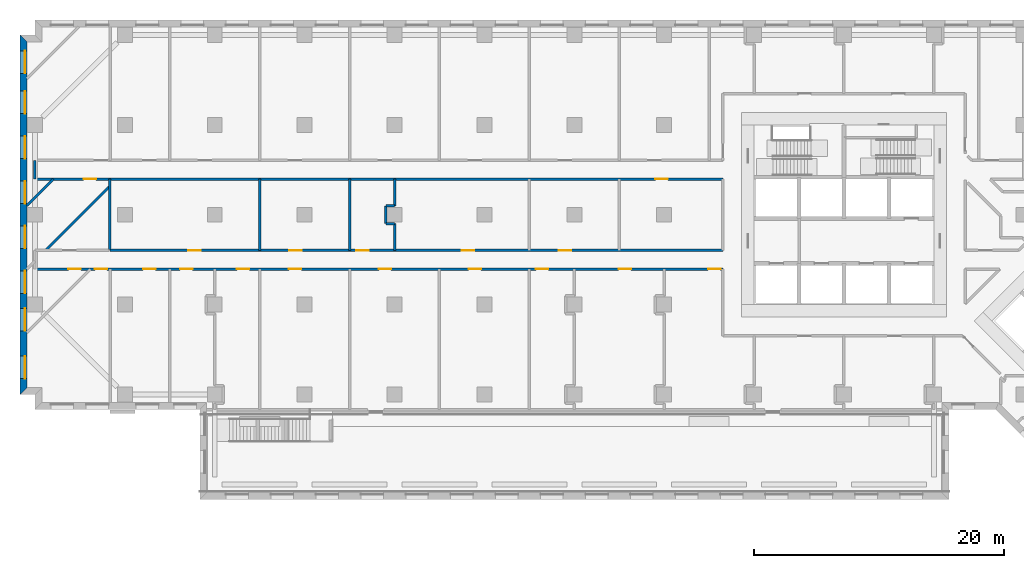
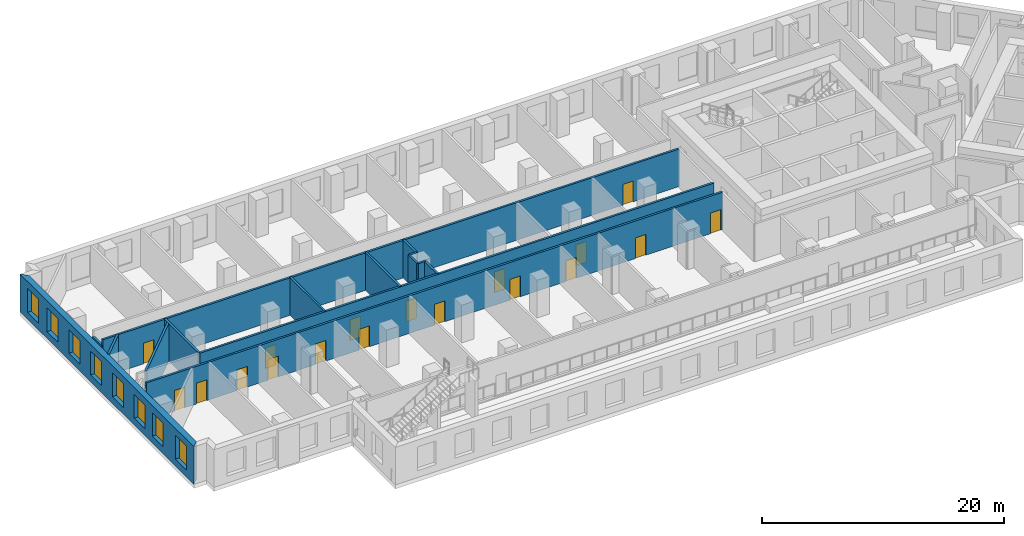
# One storey, part 4 of 14: 18 doors, 15 walls, 8 windows, 26 openings.
"""IFC4 building model written with IfcOpenShell, lengths in metres."""

from ifc_helpers import new_model, si_unit, direction, frame, frame_2d, origin, place, context, subcontext, project, spatial, polyline, rectangle, outline, extrude, material, layer, layer_set, type_object, element, fill, save


model = new_model("IFC4")

# Units and contexts
model_context = context("Model", 3, precision=1e-05, world=origin(), true_north=direction((0.0, 1.0)))
body_context = subcontext(model_context, "Body", "Model", "MODEL_VIEW")
ifc_project = project(units=[si_unit("LENGTHUNIT", "METRE"), si_unit("AREAUNIT", "SQUARE_METRE"), si_unit("VOLUMEUNIT", "CUBIC_METRE"), si_unit("PLANEANGLEUNIT", "RADIAN"), si_unit("MASSUNIT", "GRAM", prefix="KILO")], contexts=[model_context])

# Site, building, storey
site_placement = place(None, origin())
site = spatial("IfcSite", under=ifc_project, at=site_placement, CompositionType="ELEMENT")
building_placement = place(site_placement, origin())
building = spatial("IfcBuilding", under=site, at=building_placement, Name="Windrow Commons", CompositionType="ELEMENT")
storey_placement = place(building_placement, frame((0.0, 0.0, 18.6)))
storey = spatial("IfcBuildingStorey", under=building, at=storey_placement, Name="L04", CompositionType="ELEMENT", Elevation=18.6)

# Wall, openings, windows
ifc_material_1 = material(Name="Brick masonry, red clay brick", Category="masonry")
ifc_layer_1 = layer(ifc_material_1, 0.55)
ifc_layer_set_1 = layer_set([ifc_layer_1], Name="Brick facade wall 550")
wall_type_1 = type_object("IfcWallType", Name="Brick facade wall 550", PredefinedType="SOLIDWALL", material=ifc_layer_set_1)
wall_1_placement = place(storey_placement, frame((-0.925, 71.725, 0.0), z_axis=(0.0, 0.0, 1.0), x_axis=(0.0, -1.0, 0.0)))
wall_1 = element("IfcWall", 1, at=wall_1_placement, inside=storey, type_object=wall_type_1, Name="Brick facade wall L04 8", PredefinedType="SOLIDWALL", context=body_context, shape_type="SweptSolid", body=[
    extrude(outline(polyline([(-0.275, -0.275), (28.525, -0.275), (27.975, 0.275), (0.275, 0.275), (-0.275, -0.275)])), origin(), (0.0, 0.0, 1.0), 3.8),
])
opening_1_placement = place(wall_1_placement, frame((1.0, 0.0, 0.7)))
opening_1 = element("IfcOpeningElement", 2, at=opening_1_placement, cuts=wall_1, Name="Opening W2B", PredefinedType="OPENING", context=body_context, shape_type="SweptSolid", body=[
    extrude(rectangle(XDim=1.8, YDim=2.4, at=frame_2d((0.9, 1.2))), frame((0.0, 0.285, 0.0), z_axis=(0.0, -1.0, 0.0), x_axis=(1.0, 0.0, 0.0)), (0.0, 0.0, 1.0), 0.57),
])
opening_2_placement = place(wall_1_placement, frame((4.225, 0.0, 0.7)))
opening_2 = element("IfcOpeningElement", 3, at=opening_2_placement, cuts=wall_1, Name="Opening W2B", PredefinedType="OPENING", context=body_context, shape_type="SweptSolid", body=[
    extrude(rectangle(XDim=1.8, YDim=2.4, at=frame_2d((0.9, 1.2))), frame((0.0, 0.285, 0.0), z_axis=(0.0, -1.0, 0.0), x_axis=(1.0, 0.0, 0.0)), (0.0, 0.0, 1.0), 0.57),
])
opening_3_placement = place(wall_1_placement, frame((7.825, 0.0, 0.7)))
opening_3 = element("IfcOpeningElement", 4, at=opening_3_placement, cuts=wall_1, Name="Opening W2B", PredefinedType="OPENING", context=body_context, shape_type="SweptSolid", body=[
    extrude(rectangle(XDim=1.8, YDim=2.4, at=frame_2d((0.9, 1.2))), frame((0.0, 0.285, 0.0), z_axis=(0.0, -1.0, 0.0), x_axis=(1.0, 0.0, 0.0)), (0.0, 0.0, 1.0), 0.57),
])
opening_4_placement = place(wall_1_placement, frame((11.425, 0.0, 0.7)))
opening_4 = element("IfcOpeningElement", 5, at=opening_4_placement, cuts=wall_1, Name="Opening W2B", PredefinedType="OPENING", context=body_context, shape_type="SweptSolid", body=[
    extrude(rectangle(XDim=1.8, YDim=2.4, at=frame_2d((0.9, 1.2))), frame((0.0, 0.285, 0.0), z_axis=(0.0, -1.0, 0.0), x_axis=(1.0, 0.0, 0.0)), (0.0, 0.0, 1.0), 0.57),
])
opening_5_placement = place(wall_1_placement, frame((15.025, 0.0, 0.7)))
opening_5 = element("IfcOpeningElement", 6, at=opening_5_placement, cuts=wall_1, Name="Opening W2B", PredefinedType="OPENING", context=body_context, shape_type="SweptSolid", body=[
    extrude(rectangle(XDim=1.8, YDim=2.4, at=frame_2d((0.9, 1.2))), frame((0.0, 0.285, 0.0), z_axis=(0.0, -1.0, 0.0), x_axis=(1.0, 0.0, 0.0)), (0.0, 0.0, 1.0), 0.57),
])
opening_6_placement = place(wall_1_placement, frame((18.625, 0.0, 0.7)))
opening_6 = element("IfcOpeningElement", 7, at=opening_6_placement, cuts=wall_1, Name="Opening W2B", PredefinedType="OPENING", context=body_context, shape_type="SweptSolid", body=[
    extrude(rectangle(XDim=1.8, YDim=2.4, at=frame_2d((0.9, 1.2))), frame((0.0, 0.285, 0.0), z_axis=(0.0, -1.0, 0.0), x_axis=(1.0, 0.0, 0.0)), (0.0, 0.0, 1.0), 0.57),
])
opening_7_placement = place(wall_1_placement, frame((21.625, 0.0, 0.7)))
opening_7 = element("IfcOpeningElement", 8, at=opening_7_placement, cuts=wall_1, Name="Opening W2B", PredefinedType="OPENING", context=body_context, shape_type="SweptSolid", body=[
    extrude(rectangle(XDim=1.8, YDim=2.4, at=frame_2d((0.9, 1.2))), frame((0.0, 0.285, 0.0), z_axis=(0.0, -1.0, 0.0), x_axis=(1.0, 0.0, 0.0)), (0.0, 0.0, 1.0), 0.57),
])
opening_8_placement = place(wall_1_placement, frame((25.45, 0.0, 0.7)))
opening_8 = element("IfcOpeningElement", 9, at=opening_8_placement, cuts=wall_1, Name="Opening W2B", PredefinedType="OPENING", context=body_context, shape_type="SweptSolid", body=[
    extrude(rectangle(XDim=1.8, YDim=2.4, at=frame_2d((0.9, 1.2))), frame((0.0, 0.285, 0.0), z_axis=(0.0, -1.0, 0.0), x_axis=(1.0, 0.0, 0.0)), (0.0, 0.0, 1.0), 0.57),
])
ifc_material_2 = material(Name="Clear float glass in anodised aluminium frame", Category="aluminium")
window_type = type_object("IfcWindowType", Name="Window W2 podium 1800x2400", PartitioningType="SINGLE_PANEL", PredefinedType="WINDOW", material=ifc_material_2)
window_1_placement = place(opening_1_placement, origin())
window_1 = element("IfcWindow", 10, at=window_1_placement, inside=storey, type_object=window_type, Name="Window L04 8.1", OverallHeight=2.4, OverallWidth=1.8, PartitioningType="SINGLE_PANEL", PredefinedType="WINDOW", context=body_context, shape_type="SweptSolid", body=[
    extrude(rectangle(XDim=1.8, YDim=2.4, at=frame_2d((0.9, 1.2))), frame((0.0, 0.155, 0.0), z_axis=(0.0, -1.0, 0.0), x_axis=(1.0, 0.0, 0.0)), (0.0, 0.0, 1.0), 0.06),
])
fill(opening_1, window_1)
window_2_placement = place(opening_2_placement, origin())
window_2 = element("IfcWindow", 11, at=window_2_placement, inside=storey, type_object=window_type, Name="Window L04 8.2", OverallHeight=2.4, OverallWidth=1.8, PartitioningType="SINGLE_PANEL", PredefinedType="WINDOW", context=body_context, shape_type="SweptSolid", body=[
    extrude(rectangle(XDim=1.8, YDim=2.4, at=frame_2d((0.9, 1.2))), frame((0.0, 0.155, 0.0), z_axis=(0.0, -1.0, 0.0), x_axis=(1.0, 0.0, 0.0)), (0.0, 0.0, 1.0), 0.06),
])
fill(opening_2, window_2)
window_3_placement = place(opening_3_placement, origin())
window_3 = element("IfcWindow", 12, at=window_3_placement, inside=storey, type_object=window_type, Name="Window L04 8.3", OverallHeight=2.4, OverallWidth=1.8, PartitioningType="SINGLE_PANEL", PredefinedType="WINDOW", context=body_context, shape_type="SweptSolid", body=[
    extrude(rectangle(XDim=1.8, YDim=2.4, at=frame_2d((0.9, 1.2))), frame((0.0, 0.155, 0.0), z_axis=(0.0, -1.0, 0.0), x_axis=(1.0, 0.0, 0.0)), (0.0, 0.0, 1.0), 0.06),
])
fill(opening_3, window_3)
window_4_placement = place(opening_4_placement, origin())
window_4 = element("IfcWindow", 13, at=window_4_placement, inside=storey, type_object=window_type, Name="Window L04 8.4", OverallHeight=2.4, OverallWidth=1.8, PartitioningType="SINGLE_PANEL", PredefinedType="WINDOW", context=body_context, shape_type="SweptSolid", body=[
    extrude(rectangle(XDim=1.8, YDim=2.4, at=frame_2d((0.9, 1.2))), frame((0.0, 0.155, 0.0), z_axis=(0.0, -1.0, 0.0), x_axis=(1.0, 0.0, 0.0)), (0.0, 0.0, 1.0), 0.06),
])
fill(opening_4, window_4)
window_5_placement = place(opening_5_placement, origin())
window_5 = element("IfcWindow", 14, at=window_5_placement, inside=storey, type_object=window_type, Name="Window L04 8.5", OverallHeight=2.4, OverallWidth=1.8, PartitioningType="SINGLE_PANEL", PredefinedType="WINDOW", context=body_context, shape_type="SweptSolid", body=[
    extrude(rectangle(XDim=1.8, YDim=2.4, at=frame_2d((0.9, 1.2))), frame((0.0, 0.155, 0.0), z_axis=(0.0, -1.0, 0.0), x_axis=(1.0, 0.0, 0.0)), (0.0, 0.0, 1.0), 0.06),
])
fill(opening_5, window_5)
window_6_placement = place(opening_6_placement, origin())
window_6 = element("IfcWindow", 15, at=window_6_placement, inside=storey, type_object=window_type, Name="Window L04 8.6", OverallHeight=2.4, OverallWidth=1.8, PartitioningType="SINGLE_PANEL", PredefinedType="WINDOW", context=body_context, shape_type="SweptSolid", body=[
    extrude(rectangle(XDim=1.8, YDim=2.4, at=frame_2d((0.9, 1.2))), frame((0.0, 0.155, 0.0), z_axis=(0.0, -1.0, 0.0), x_axis=(1.0, 0.0, 0.0)), (0.0, 0.0, 1.0), 0.06),
])
fill(opening_6, window_6)
window_7_placement = place(opening_7_placement, origin())
window_7 = element("IfcWindow", 16, at=window_7_placement, inside=storey, type_object=window_type, Name="Window L04 8.7", OverallHeight=2.4, OverallWidth=1.8, PartitioningType="SINGLE_PANEL", PredefinedType="WINDOW", context=body_context, shape_type="SweptSolid", body=[
    extrude(rectangle(XDim=1.8, YDim=2.4, at=frame_2d((0.9, 1.2))), frame((0.0, 0.155, 0.0), z_axis=(0.0, -1.0, 0.0), x_axis=(1.0, 0.0, 0.0)), (0.0, 0.0, 1.0), 0.06),
])
fill(opening_7, window_7)
window_8_placement = place(opening_8_placement, origin())
window_8 = element("IfcWindow", 17, at=window_8_placement, inside=storey, type_object=window_type, Name="Window L04 8.8", OverallHeight=2.4, OverallWidth=1.8, PartitioningType="SINGLE_PANEL", PredefinedType="WINDOW", context=body_context, shape_type="SweptSolid", body=[
    extrude(rectangle(XDim=1.8, YDim=2.4, at=frame_2d((0.9, 1.2))), frame((0.0, 0.155, 0.0), z_axis=(0.0, -1.0, 0.0), x_axis=(1.0, 0.0, 0.0)), (0.0, 0.0, 1.0), 0.06),
])
fill(opening_8, window_8)

# Wall, openings, doors
ifc_material_3 = material(Name="Blockwork partition", Category="masonry")
ifc_layer_2 = layer(ifc_material_3, 0.2)
ifc_layer_set_2 = layer_set([ifc_layer_2], Name="IW-CORRIDOR-200")
wall_type_2 = type_object("IfcWallType", Name="IW-CORRIDOR-200", PredefinedType="PARTITIONING", material=ifc_layer_set_2)
wall_2_placement = place(storey_placement, frame((0.0, 53.25, 0.0), z_axis=(0.0, 0.0, 1.0), x_axis=(1.0, 0.0, 0.0)))
wall_2 = element("IfcWall", 18, at=wall_2_placement, inside=storey, type_object=wall_type_2, Name="W-L04-W001", PredefinedType="PARTITIONING", context=body_context, shape_type="SweptSolid", body=[
    extrude(rectangle(XDim=55.1, YDim=0.2, at=frame_2d((27.55, 0.0))), origin(), (0.0, 0.0, 1.0), 3.8),
])
opening_9_placement = place(wall_2_placement, frame((8.6687, 0.0, 0.0)))
opening_9 = element("IfcOpeningElement", 19, at=opening_9_placement, cuts=wall_2, Name="Opening D310F", PredefinedType="OPENING", context=body_context, shape_type="SweptSolid", body=[
    extrude(rectangle(XDim=1.0, YDim=2.1, at=frame_2d((0.5, 1.05))), frame((0.0, 0.11, 0.0), z_axis=(0.0, -1.0, 0.0), x_axis=(1.0, 0.0, 0.0)), (0.0, 0.0, 1.0), 0.22),
])
opening_10_placement = place(wall_2_placement, frame((11.635, 0.0, 0.0)))
opening_10 = element("IfcOpeningElement", 20, at=opening_10_placement, cuts=wall_2, Name="Opening D310F", PredefinedType="OPENING", context=body_context, shape_type="SweptSolid", body=[
    extrude(rectangle(XDim=1.0, YDim=2.1, at=frame_2d((0.5, 1.05))), frame((0.0, 0.11, 0.0), z_axis=(0.0, -1.0, 0.0), x_axis=(1.0, 0.0, 0.0)), (0.0, 0.0, 1.0), 0.22),
])
opening_11_placement = place(wall_2_placement, frame((16.165, 0.0, 0.0)))
opening_11 = element("IfcOpeningElement", 21, at=opening_11_placement, cuts=wall_2, Name="Opening D310F", PredefinedType="OPENING", context=body_context, shape_type="SweptSolid", body=[
    extrude(rectangle(XDim=1.0, YDim=2.1, at=frame_2d((0.5, 1.05))), frame((0.0, 0.11, 0.0), z_axis=(0.0, -1.0, 0.0), x_axis=(1.0, 0.0, 0.0)), (0.0, 0.0, 1.0), 0.22),
])
opening_12_placement = place(wall_2_placement, frame((20.3375, 0.0, 0.0)))
opening_12 = element("IfcOpeningElement", 22, at=opening_12_placement, cuts=wall_2, Name="Opening D310F", PredefinedType="OPENING", context=body_context, shape_type="SweptSolid", body=[
    extrude(rectangle(XDim=1.0, YDim=2.1, at=frame_2d((0.5, 1.05))), frame((0.0, 0.11, 0.0), z_axis=(0.0, -1.0, 0.0), x_axis=(1.0, 0.0, 0.0)), (0.0, 0.0, 1.0), 0.22),
])
opening_13_placement = place(wall_2_placement, frame((27.5375, 0.0, 0.0)))
opening_13 = element("IfcOpeningElement", 23, at=opening_13_placement, cuts=wall_2, Name="Opening D310F", PredefinedType="OPENING", context=body_context, shape_type="SweptSolid", body=[
    extrude(rectangle(XDim=1.0, YDim=2.1, at=frame_2d((0.5, 1.05))), frame((0.0, 0.11, 0.0), z_axis=(0.0, -1.0, 0.0), x_axis=(1.0, 0.0, 0.0)), (0.0, 0.0, 1.0), 0.22),
])
opening_14_placement = place(wall_2_placement, frame((34.7375, 0.0, 0.0)))
opening_14 = element("IfcOpeningElement", 24, at=opening_14_placement, cuts=wall_2, Name="Opening D310F", PredefinedType="OPENING", context=body_context, shape_type="SweptSolid", body=[
    extrude(rectangle(XDim=1.0, YDim=2.1, at=frame_2d((0.5, 1.05))), frame((0.0, 0.11, 0.0), z_axis=(0.0, -1.0, 0.0), x_axis=(1.0, 0.0, 0.0)), (0.0, 0.0, 1.0), 0.22),
])
opening_15_placement = place(wall_2_placement, frame((40.125, 0.0, 0.0)))
opening_15 = element("IfcOpeningElement", 25, at=opening_15_placement, cuts=wall_2, Name="Opening D310F", PredefinedType="OPENING", context=body_context, shape_type="SweptSolid", body=[
    extrude(rectangle(XDim=1.0, YDim=2.1, at=frame_2d((0.5, 1.05))), frame((0.0, 0.11, 0.0), z_axis=(0.0, -1.0, 0.0), x_axis=(1.0, 0.0, 0.0)), (0.0, 0.0, 1.0), 0.22),
])
opening_16_placement = place(wall_2_placement, frame((46.7575, 0.0, 0.0)))
opening_16 = element("IfcOpeningElement", 26, at=opening_16_placement, cuts=wall_2, Name="Opening D310F", PredefinedType="OPENING", context=body_context, shape_type="SweptSolid", body=[
    extrude(rectangle(XDim=1.0, YDim=2.1, at=frame_2d((0.5, 1.05))), frame((0.0, 0.11, 0.0), z_axis=(0.0, -1.0, 0.0), x_axis=(1.0, 0.0, 0.0)), (0.0, 0.0, 1.0), 0.22),
])
opening_17_placement = place(wall_2_placement, frame((53.9125, 0.0, 0.0)))
opening_17 = element("IfcOpeningElement", 27, at=opening_17_placement, cuts=wall_2, Name="Opening D310F", PredefinedType="OPENING", context=body_context, shape_type="SweptSolid", body=[
    extrude(rectangle(XDim=1.0, YDim=2.1, at=frame_2d((0.5, 1.05))), frame((0.0, 0.11, 0.0), z_axis=(0.0, -1.0, 0.0), x_axis=(1.0, 0.0, 0.0)), (0.0, 0.0, 1.0), 0.22),
])
opening_18_placement = place(wall_2_placement, frame((2.6724, 0.0, 0.0)))
opening_18 = element("IfcOpeningElement", 28, at=opening_18_placement, cuts=wall_2, Name="Opening D410F", PredefinedType="OPENING", context=body_context, shape_type="SweptSolid", body=[
    extrude(rectangle(XDim=1.0, YDim=2.1, at=frame_2d((0.5, 1.05))), frame((0.0, 0.11, 0.0), z_axis=(0.0, -1.0, 0.0), x_axis=(1.0, 0.0, 0.0)), (0.0, 0.0, 1.0), 0.22),
])
opening_19_placement = place(wall_2_placement, frame((4.7883, 0.0, 0.0)))
opening_19 = element("IfcOpeningElement", 29, at=opening_19_placement, cuts=wall_2, Name="Opening D310F", PredefinedType="OPENING", context=body_context, shape_type="SweptSolid", body=[
    extrude(rectangle(XDim=1.0, YDim=2.1, at=frame_2d((0.5, 1.05))), frame((0.0, 0.11, 0.0), z_axis=(0.0, -1.0, 0.0), x_axis=(1.0, 0.0, 0.0)), (0.0, 0.0, 1.0), 0.22),
])
ifc_material_4 = material(Name="Timber door leaf", Category="wood")
door_type_1 = type_object("IfcDoorType", Name="DT-AMENITY-1000", OperationType="SINGLE_SWING_LEFT", PredefinedType="DOOR", material=ifc_material_4)
door_1_placement = place(opening_9_placement, origin())
door_1 = element("IfcDoor", 30, at=door_1_placement, inside=storey, type_object=door_type_1, Name="D-L04-D000", OperationType="SINGLE_SWING_LEFT", OverallHeight=2.1, OverallWidth=1.0, PredefinedType="DOOR", context=body_context, shape_type="SweptSolid", body=[
    extrude(rectangle(XDim=1.0, YDim=2.1, at=frame_2d((0.5, 1.05))), frame((0.0, 0.025, 0.0), z_axis=(0.0, -1.0, 0.0), x_axis=(1.0, 0.0, 0.0)), (0.0, 0.0, 1.0), 0.05),
])
fill(opening_9, door_1)
door_2_placement = place(opening_10_placement, origin())
door_2 = element("IfcDoor", 31, at=door_2_placement, inside=storey, type_object=door_type_1, Name="D-L04-D001", OperationType="SINGLE_SWING_RIGHT", OverallHeight=2.1, OverallWidth=1.0, PredefinedType="DOOR", context=body_context, shape_type="SweptSolid", body=[
    extrude(rectangle(XDim=1.0, YDim=2.1, at=frame_2d((0.5, 1.05))), frame((0.0, 0.025, 0.0), z_axis=(0.0, -1.0, 0.0), x_axis=(1.0, 0.0, 0.0)), (0.0, 0.0, 1.0), 0.05),
])
fill(opening_10, door_2)
door_3_placement = place(opening_11_placement, origin())
door_3 = element("IfcDoor", 32, at=door_3_placement, inside=storey, type_object=door_type_1, Name="D-L04-D002", OperationType="SINGLE_SWING_LEFT", OverallHeight=2.1, OverallWidth=1.0, PredefinedType="DOOR", context=body_context, shape_type="SweptSolid", body=[
    extrude(rectangle(XDim=1.0, YDim=2.1, at=frame_2d((0.5, 1.05))), frame((0.0, 0.025, 0.0), z_axis=(0.0, -1.0, 0.0), x_axis=(1.0, 0.0, 0.0)), (0.0, 0.0, 1.0), 0.05),
])
fill(opening_11, door_3)
door_4_placement = place(opening_12_placement, origin())
door_4 = element("IfcDoor", 33, at=door_4_placement, inside=storey, type_object=door_type_1, Name="D-L04-D003", OperationType="SINGLE_SWING_RIGHT", OverallHeight=2.1, OverallWidth=1.0, PredefinedType="DOOR", context=body_context, shape_type="SweptSolid", body=[
    extrude(rectangle(XDim=1.0, YDim=2.1, at=frame_2d((0.5, 1.05))), frame((0.0, 0.025, 0.0), z_axis=(0.0, -1.0, 0.0), x_axis=(1.0, 0.0, 0.0)), (0.0, 0.0, 1.0), 0.05),
])
fill(opening_12, door_4)
door_5_placement = place(opening_13_placement, origin())
door_5 = element("IfcDoor", 34, at=door_5_placement, inside=storey, type_object=door_type_1, Name="D-L04-D004", OperationType="SINGLE_SWING_RIGHT", OverallHeight=2.1, OverallWidth=1.0, PredefinedType="DOOR", context=body_context, shape_type="SweptSolid", body=[
    extrude(rectangle(XDim=1.0, YDim=2.1, at=frame_2d((0.5, 1.05))), frame((0.0, 0.025, 0.0), z_axis=(0.0, -1.0, 0.0), x_axis=(1.0, 0.0, 0.0)), (0.0, 0.0, 1.0), 0.05),
])
fill(opening_13, door_5)
door_6_placement = place(opening_14_placement, origin())
door_6 = element("IfcDoor", 35, at=door_6_placement, inside=storey, type_object=door_type_1, Name="D-L04-D005", OperationType="SINGLE_SWING_RIGHT", OverallHeight=2.1, OverallWidth=1.0, PredefinedType="DOOR", context=body_context, shape_type="SweptSolid", body=[
    extrude(rectangle(XDim=1.0, YDim=2.1, at=frame_2d((0.5, 1.05))), frame((0.0, 0.025, 0.0), z_axis=(0.0, -1.0, 0.0), x_axis=(1.0, 0.0, 0.0)), (0.0, 0.0, 1.0), 0.05),
])
fill(opening_14, door_6)
door_7_placement = place(opening_15_placement, origin())
door_7 = element("IfcDoor", 36, at=door_7_placement, inside=storey, type_object=door_type_1, Name="D-L04-D006", OperationType="SINGLE_SWING_RIGHT", OverallHeight=2.1, OverallWidth=1.0, PredefinedType="DOOR", context=body_context, shape_type="SweptSolid", body=[
    extrude(rectangle(XDim=1.0, YDim=2.1, at=frame_2d((0.5, 1.05))), frame((0.0, 0.025, 0.0), z_axis=(0.0, -1.0, 0.0), x_axis=(1.0, 0.0, 0.0)), (0.0, 0.0, 1.0), 0.05),
])
fill(opening_15, door_7)
door_8_placement = place(opening_16_placement, origin())
door_8 = element("IfcDoor", 37, at=door_8_placement, inside=storey, type_object=door_type_1, Name="D-L04-D007", OperationType="SINGLE_SWING_LEFT", OverallHeight=2.1, OverallWidth=1.0, PredefinedType="DOOR", context=body_context, shape_type="SweptSolid", body=[
    extrude(rectangle(XDim=1.0, YDim=2.1, at=frame_2d((0.5, 1.05))), frame((0.0, 0.025, 0.0), z_axis=(0.0, -1.0, 0.0), x_axis=(1.0, 0.0, 0.0)), (0.0, 0.0, 1.0), 0.05),
])
fill(opening_16, door_8)
door_9_placement = place(opening_17_placement, origin())
door_9 = element("IfcDoor", 38, at=door_9_placement, inside=storey, type_object=door_type_1, Name="D-L04-D008", OperationType="SINGLE_SWING_LEFT", OverallHeight=2.1, OverallWidth=1.0, PredefinedType="DOOR", context=body_context, shape_type="SweptSolid", body=[
    extrude(rectangle(XDim=1.0, YDim=2.1, at=frame_2d((0.5, 1.05))), frame((0.0, 0.025, 0.0), z_axis=(0.0, -1.0, 0.0), x_axis=(1.0, 0.0, 0.0)), (0.0, 0.0, 1.0), 0.05),
])
fill(opening_17, door_9)
door_10_placement = place(opening_19_placement, origin())
door_10 = element("IfcDoor", 39, at=door_10_placement, inside=storey, type_object=door_type_1, Name="D-L04-D048", OperationType="SINGLE_SWING_LEFT", OverallHeight=2.1, OverallWidth=1.0, PredefinedType="DOOR", context=body_context, shape_type="SweptSolid", body=[
    extrude(rectangle(XDim=1.0, YDim=2.1, at=frame_2d((0.5, 1.05))), frame((0.0, 0.025, 0.0), z_axis=(0.0, -1.0, 0.0), x_axis=(1.0, 0.0, 0.0)), (0.0, 0.0, 1.0), 0.05),
])
fill(opening_19, door_10)
ifc_material_5 = material(Name="Timber door leaf", Category="wood")
door_type_2 = type_object("IfcDoorType", Name="DT-SERVICE-1000", OperationType="SINGLE_SWING_LEFT", PredefinedType="DOOR", material=ifc_material_5)
door_11_placement = place(opening_18_placement, origin())
door_11 = element("IfcDoor", 40, at=door_11_placement, inside=storey, type_object=door_type_2, Name="D-L04-D046", OperationType="SINGLE_SWING_RIGHT", OverallHeight=2.1, OverallWidth=1.0, PredefinedType="DOOR", context=body_context, shape_type="SweptSolid", body=[
    extrude(rectangle(XDim=1.0, YDim=2.1, at=frame_2d((0.5, 1.05))), frame((0.0, 0.025, 0.0), z_axis=(0.0, -1.0, 0.0), x_axis=(1.0, 0.0, 0.0)), (0.0, 0.0, 1.0), 0.05),
])
fill(opening_18, door_11)

wall_3_placement = place(storey_placement, frame((0.002, 60.45, 0.0), z_axis=(0.0, 0.0, 1.0), x_axis=(1.0, 0.0, 0.0)))
wall_3 = element("IfcWall", 41, at=wall_3_placement, inside=storey, type_object=wall_type_2, Name="W-L04-W002", PredefinedType="PARTITIONING", context=body_context, shape_type="SweptSolid", body=[
    extrude(rectangle(XDim=55.098, YDim=0.2, at=frame_2d((27.549, 0.0))), origin(), (0.0, 0.0, 1.0), 3.8),
])
opening_20_placement = place(wall_3_placement, frame((49.6895, 0.0, 0.0)))
opening_20 = element("IfcOpeningElement", 42, at=opening_20_placement, cuts=wall_3, Name="Opening D310F", PredefinedType="OPENING", context=body_context, shape_type="SweptSolid", body=[
    extrude(rectangle(XDim=1.0, YDim=2.1, at=frame_2d((0.5, 1.05))), frame((0.0, 0.11, 0.0), z_axis=(0.0, -1.0, 0.0), x_axis=(1.0, 0.0, 0.0)), (0.0, 0.0, 1.0), 0.22),
])
opening_21_placement = place(wall_3_placement, frame((3.8973, 0.0, 0.0)))
opening_21 = element("IfcOpeningElement", 43, at=opening_21_placement, cuts=wall_3, Name="Opening D310F", PredefinedType="OPENING", context=body_context, shape_type="SweptSolid", body=[
    extrude(rectangle(XDim=1.0, YDim=2.1, at=frame_2d((0.5, 1.05))), frame((0.0, 0.11, 0.0), z_axis=(0.0, -1.0, 0.0), x_axis=(1.0, 0.0, 0.0)), (0.0, 0.0, 1.0), 0.22),
])
door_12_placement = place(opening_20_placement, origin())
door_12 = element("IfcDoor", 44, at=door_12_placement, inside=storey, type_object=door_type_1, Name="D-L04-D017", OperationType="SINGLE_SWING_RIGHT", OverallHeight=2.1, OverallWidth=1.0, PredefinedType="DOOR", context=body_context, shape_type="SweptSolid", body=[
    extrude(rectangle(XDim=1.0, YDim=2.1, at=frame_2d((0.5, 1.05))), frame((0.0, 0.025, 0.0), z_axis=(0.0, -1.0, 0.0), x_axis=(1.0, 0.0, 0.0)), (0.0, 0.0, 1.0), 0.05),
])
fill(opening_20, door_12)
door_13_placement = place(opening_21_placement, origin())
door_13 = element("IfcDoor", 45, at=door_13_placement, inside=storey, type_object=door_type_1, Name="D-L04-D045", OperationType="SINGLE_SWING_LEFT", OverallHeight=2.1, OverallWidth=1.0, PredefinedType="DOOR", context=body_context, shape_type="SweptSolid", body=[
    extrude(rectangle(XDim=1.0, YDim=2.1, at=frame_2d((0.5, 1.05))), frame((0.0, 0.025, 0.0), z_axis=(0.0, -1.0, 0.0), x_axis=(1.0, 0.0, 0.0)), (0.0, 0.0, 1.0), 0.05),
])
fill(opening_21, door_13)

wall_4_placement = place(storey_placement, frame((6.0, 54.75, 0.0), z_axis=(0.0, 0.0, 1.0), x_axis=(1.0, 0.0, 0.0)))
wall_4 = element("IfcWall", 46, at=wall_4_placement, inside=storey, type_object=wall_type_2, Name="W-L04-W004", PredefinedType="PARTITIONING", context=body_context, shape_type="SweptSolid", body=[
    extrude(rectangle(XDim=49.1, YDim=0.2, at=frame_2d((24.55, 0.0))), origin(), (0.0, 0.0, 1.0), 3.8),
])
opening_22_placement = place(wall_4_placement, frame((6.2837, 0.0, 0.0)))
opening_22 = element("IfcOpeningElement", 47, at=opening_22_placement, cuts=wall_4, Name="Opening D310F", PredefinedType="OPENING", context=body_context, shape_type="SweptSolid", body=[
    extrude(rectangle(XDim=1.0, YDim=2.1, at=frame_2d((0.5, 1.05))), frame((0.0, 0.11, 0.0), z_axis=(0.0, -1.0, 0.0), x_axis=(1.0, 0.0, 0.0)), (0.0, 0.0, 1.0), 0.22),
])
opening_23_placement = place(wall_4_placement, frame((14.3737, 0.0, 0.0)))
opening_23 = element("IfcOpeningElement", 48, at=opening_23_placement, cuts=wall_4, Name="Opening D310F", PredefinedType="OPENING", context=body_context, shape_type="SweptSolid", body=[
    extrude(rectangle(XDim=1.0, YDim=2.1, at=frame_2d((0.5, 1.05))), frame((0.0, 0.11, 0.0), z_axis=(0.0, -1.0, 0.0), x_axis=(1.0, 0.0, 0.0)), (0.0, 0.0, 1.0), 0.22),
])
opening_24_placement = place(wall_4_placement, frame((19.725, 0.0, 0.0)))
opening_24 = element("IfcOpeningElement", 49, at=opening_24_placement, cuts=wall_4, Name="Opening D310F", PredefinedType="OPENING", context=body_context, shape_type="SweptSolid", body=[
    extrude(rectangle(XDim=1.0, YDim=2.1, at=frame_2d((0.5, 1.05))), frame((0.0, 0.11, 0.0), z_axis=(0.0, -1.0, 0.0), x_axis=(1.0, 0.0, 0.0)), (0.0, 0.0, 1.0), 0.22),
])
opening_25_placement = place(wall_4_placement, frame((28.1825, 0.0, 0.0)))
opening_25 = element("IfcOpeningElement", 50, at=opening_25_placement, cuts=wall_4, Name="Opening D310F", PredefinedType="OPENING", context=body_context, shape_type="SweptSolid", body=[
    extrude(rectangle(XDim=1.0, YDim=2.1, at=frame_2d((0.5, 1.05))), frame((0.0, 0.11, 0.0), z_axis=(0.0, -1.0, 0.0), x_axis=(1.0, 0.0, 0.0)), (0.0, 0.0, 1.0), 0.22),
])
opening_26_placement = place(wall_4_placement, frame((35.9737, 0.0, 0.0)))
opening_26 = element("IfcOpeningElement", 51, at=opening_26_placement, cuts=wall_4, Name="Opening D310F", PredefinedType="OPENING", context=body_context, shape_type="SweptSolid", body=[
    extrude(rectangle(XDim=1.0, YDim=2.1, at=frame_2d((0.5, 1.05))), frame((0.0, 0.11, 0.0), z_axis=(0.0, -1.0, 0.0), x_axis=(1.0, 0.0, 0.0)), (0.0, 0.0, 1.0), 0.22),
])
door_14_placement = place(opening_22_placement, origin())
door_14 = element("IfcDoor", 52, at=door_14_placement, inside=storey, type_object=door_type_1, Name="D-L04-D012", OperationType="SINGLE_SWING_RIGHT", OverallHeight=2.1, OverallWidth=1.0, PredefinedType="DOOR", context=body_context, shape_type="SweptSolid", body=[
    extrude(rectangle(XDim=1.0, YDim=2.1, at=frame_2d((0.5, 1.05))), frame((0.0, 0.025, 0.0), z_axis=(0.0, -1.0, 0.0), x_axis=(1.0, 0.0, 0.0)), (0.0, 0.0, 1.0), 0.05),
])
fill(opening_22, door_14)
door_15_placement = place(opening_23_placement, origin())
door_15 = element("IfcDoor", 53, at=door_15_placement, inside=storey, type_object=door_type_1, Name="D-L04-D013", OperationType="SINGLE_SWING_LEFT", OverallHeight=2.1, OverallWidth=1.0, PredefinedType="DOOR", context=body_context, shape_type="SweptSolid", body=[
    extrude(rectangle(XDim=1.0, YDim=2.1, at=frame_2d((0.5, 1.05))), frame((0.0, 0.025, 0.0), z_axis=(0.0, -1.0, 0.0), x_axis=(1.0, 0.0, 0.0)), (0.0, 0.0, 1.0), 0.05),
])
fill(opening_23, door_15)
door_16_placement = place(opening_24_placement, origin())
door_16 = element("IfcDoor", 54, at=door_16_placement, inside=storey, type_object=door_type_1, Name="D-L04-D014", OperationType="SINGLE_SWING_LEFT", OverallHeight=2.1, OverallWidth=1.0, PredefinedType="DOOR", context=body_context, shape_type="SweptSolid", body=[
    extrude(rectangle(XDim=1.0, YDim=2.1, at=frame_2d((0.5, 1.05))), frame((0.0, 0.025, 0.0), z_axis=(0.0, -1.0, 0.0), x_axis=(1.0, 0.0, 0.0)), (0.0, 0.0, 1.0), 0.05),
])
fill(opening_24, door_16)
door_17_placement = place(opening_25_placement, origin())
door_17 = element("IfcDoor", 55, at=door_17_placement, inside=storey, type_object=door_type_1, Name="D-L04-D015", OperationType="SINGLE_SWING_RIGHT", OverallHeight=2.1, OverallWidth=1.0, PredefinedType="DOOR", context=body_context, shape_type="SweptSolid", body=[
    extrude(rectangle(XDim=1.0, YDim=2.1, at=frame_2d((0.5, 1.05))), frame((0.0, 0.025, 0.0), z_axis=(0.0, -1.0, 0.0), x_axis=(1.0, 0.0, 0.0)), (0.0, 0.0, 1.0), 0.05),
])
fill(opening_25, door_17)
door_18_placement = place(opening_26_placement, origin())
door_18 = element("IfcDoor", 56, at=door_18_placement, inside=storey, type_object=door_type_1, Name="D-L04-D016", OperationType="SINGLE_SWING_LEFT", OverallHeight=2.1, OverallWidth=1.0, PredefinedType="DOOR", context=body_context, shape_type="SweptSolid", body=[
    extrude(rectangle(XDim=1.0, YDim=2.1, at=frame_2d((0.5, 1.05))), frame((0.0, 0.025, 0.0), z_axis=(0.0, -1.0, 0.0), x_axis=(1.0, 0.0, 0.0)), (0.0, 0.0, 1.0), 0.05),
])
fill(opening_26, door_18)

# Walls
wall_5_placement = place(storey_placement, frame((0.0, 60.452, 0.0), z_axis=(0.0, 0.0, 1.0), x_axis=(0.0, 1.0, 0.0)))
element("IfcWall", 57, at=wall_5_placement, inside=storey, type_object=wall_type_2, Name="W-L04-W098", PredefinedType="PARTITIONING", context=body_context, shape_type="SweptSolid", body=[
    extrude(rectangle(XDim=1.496, YDim=0.2, at=frame_2d((0.748, 0.0))), origin(), (0.0, 0.0, 1.0), 3.2),
])
ifc_material_6 = material(Name="Blockwork partition", Category="masonry")
ifc_layer_3 = layer(ifc_material_6, 0.2)
ifc_layer_set_3 = layer_set([ifc_layer_3], Name="IW-PARTY-200")
wall_type_3 = type_object("IfcWallType", Name="IW-PARTY-200", PredefinedType="PARTITIONING", material=ifc_layer_set_3)
wall_6_placement = place(storey_placement, frame((0.8552, 54.7508, 0.0), z_axis=(0.0, 0.0, 1.0), x_axis=(0.7071067812, 0.7071067812, 0.0)))
element("IfcWall", 58, at=wall_6_placement, inside=storey, type_object=wall_type_3, Name="W-L04-W036", PredefinedType="PARTITIONING", context=body_context, shape_type="SweptSolid", body=[
    extrude(rectangle(XDim=7.2747, YDim=0.2, at=frame_2d((3.6374, 0.0))), origin(), (0.0, 0.0, 1.0), 3.8),
])
for number, where, z_axis, x_axis, name in (
    (59, (18.0, 54.75, 0.0), (0.0, 0.0, 1.0), (0.0, 1.0, 0.0), "W-L04-W047"),
    (60, (25.2, 54.75, 0.0), (0.0, 0.0, 1.0), (0.0, 1.0, 0.0), "W-L04-W048"),
):
    element("IfcWall", number, at=place(storey_placement, frame(where, z_axis=z_axis, x_axis=x_axis)), inside=storey, type_object=wall_type_3, Name=name, PredefinedType="PARTITIONING", context=body_context, shape_type="SweptSolid", body=[
        extrude(rectangle(XDim=5.7, YDim=0.2, at=frame_2d((2.85, 0.0))), origin(), (0.0, 0.0, 1.0), 3.8),
    ])
wall_7_placement = place(storey_placement, frame((6.0, 54.802, 0.0), z_axis=(0.0, 0.0, 1.0), x_axis=(0.0, 1.0, 0.0)))
element("IfcWall", 61, at=wall_7_placement, inside=storey, type_object=wall_type_3, Name="W-L04-W052", PredefinedType="PARTITIONING", context=body_context, shape_type="SweptSolid", body=[
    extrude(rectangle(XDim=5.648, YDim=0.2, at=frame_2d((2.824, 0.0))), origin(), (0.0, 0.0, 1.0), 3.8),
])
wall_8_placement = place(storey_placement, frame((-0.65, 58.3368, 0.0), z_axis=(0.0, 0.0, 1.0), x_axis=(0.7071067812, 0.7071067812, 0.0)))
element("IfcWall", 62, at=wall_8_placement, inside=storey, type_object=wall_type_3, Name="W-L04-W073", PredefinedType="PARTITIONING", context=body_context, shape_type="SweptSolid", body=[
    extrude(rectangle(XDim=2.9891, YDim=0.2, at=frame_2d((1.4946, 0.0))), origin(), (0.0, 0.0, 1.0), 3.8),
])
for number, where, z_axis, x_axis, name in (
    (63, (28.8, 58.306, 0.0), (0.0, 0.0, 1.0), (0.0, 1.0, 0.0), "W-L04-W082"),
    (64, (28.8, 54.75, 0.0), (0.0, 0.0, 1.0), (0.0, 1.0, 0.0), "W-L04-W084"),
):
    element("IfcWall", number, at=place(storey_placement, frame(where, z_axis=z_axis, x_axis=x_axis)), inside=storey, type_object=wall_type_3, Name=name, PredefinedType="PARTITIONING", context=body_context, shape_type="SweptSolid", body=[
        extrude(rectangle(XDim=2.144, YDim=0.2, at=frame_2d((1.072, 0.0))), origin(), (0.0, 0.0, 1.0), 3.8),
    ])
wall_9_placement = place(storey_placement, frame((28.1, 56.894, 0.0), z_axis=(0.0, 0.0, 1.0), x_axis=(0.0, 1.0, 0.0)))
element("IfcWall", 65, at=wall_9_placement, inside=storey, type_object=wall_type_3, Name="W-L04-W101", PredefinedType="PARTITIONING", context=body_context, shape_type="SweptSolid", body=[
    extrude(rectangle(XDim=1.412, YDim=0.2, at=frame_2d((0.706, 0.0))), origin(), (0.0, 0.0, 1.0), 3.8),
])
for number, where, z_axis, x_axis, name in (
    (66, (28.1, 58.31, 0.0), (0.0, 0.0, 1.0), (1.0, 0.0, 0.0), "W-L04-W133"),
    (67, (28.1, 56.89, 0.0), (0.0, 0.0, 1.0), (1.0, 0.0, 0.0), "W-L04-W134"),
):
    element("IfcWall", number, at=place(storey_placement, frame(where, z_axis=z_axis, x_axis=x_axis)), inside=storey, type_object=wall_type_3, Name=name, PredefinedType="PARTITIONING", context=body_context, shape_type="SweptSolid", body=[
        extrude(rectangle(XDim=0.7, YDim=0.2, at=frame_2d((0.35, 0.0))), origin(), (0.0, 0.0, 1.0), 3.8),
    ])

save(model, "model.ifc")
